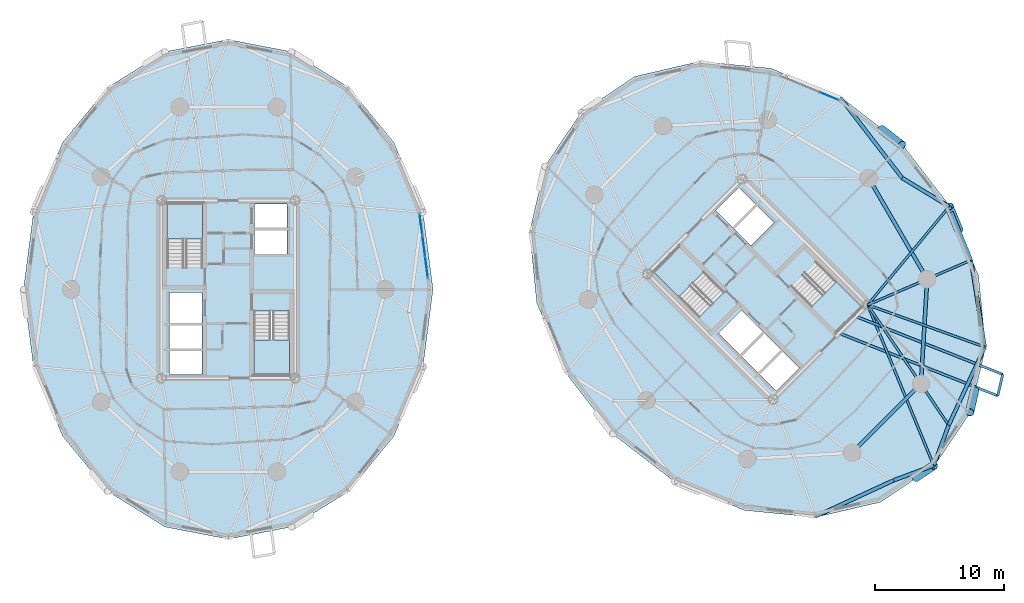
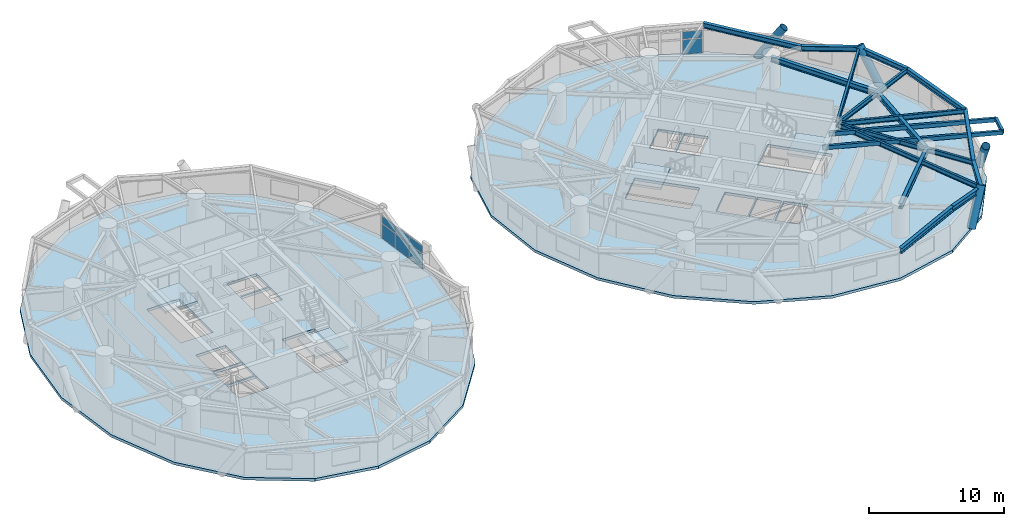
# One storey, part 8 of 17: 19 beams, 8 plates, 6 slabs, 4 members, 6 elements without a shape of their own.
"""IFC4 building model written with IfcOpenShell, lengths in metres."""

from ifc_helpers import new_model, si_unit, direction, frame, origin, origin_2d, place, context, subcontext, project, spatial, polyline, rectangle, hollow_rectangle, hollow_circle, i_section, outline, extrude, source, transform, mapped, material, layer, layer_set, material_profile, profile_set, type_object, element, aggregate, save


model = new_model("IFC4")

# Units and contexts
model_context = context("Model", 3, precision=1e-05, world=origin(), true_north=direction((0.0, 1.0)))
body_context = subcontext(model_context, "Body", "Model", "MODEL_VIEW")
ifc_project = project(units=[si_unit("LENGTHUNIT", "METRE"), si_unit("AREAUNIT", "SQUARE_METRE"), si_unit("VOLUMEUNIT", "CUBIC_METRE"), si_unit("PLANEANGLEUNIT", "RADIAN"), si_unit("MASSUNIT", "GRAM", prefix="KILO")], contexts=[model_context])

# Site, building, storey
site_placement = place(None, origin())
site = spatial("IfcSite", under=ifc_project, at=site_placement, CompositionType="ELEMENT")
building_placement = place(site_placement, origin())
building = spatial("IfcBuilding", under=site, at=building_placement, Name="Cununo Teusaquillo Station Towers", CompositionType="ELEMENT")
storey_placement = place(building_placement, frame((0.0, 0.0, 90.52001953125)))
storey = spatial("IfcBuildingStorey", under=building, at=storey_placement, Name="L28", CompositionType="ELEMENT", Elevation=90.52001953125)

# Beams
ifc_material_1 = material(Name="Steel EN 10025-2 S355J2", Category="steel")
ifc_material_profile_1 = material_profile(ifc_material_1, hollow_rectangle(XDim=0.199951171875, YDim=0.35009765625, WallThickness=0.013916015625, at=origin_2d()), Name="RHS 350x200x14")
ifc_profile_set_1 = profile_set([ifc_material_profile_1], Name="Steel EN 10025-2 S355J2")
beam_type_1 = type_object("IfcBeamType", Name="BM-BAL-CANT", PredefinedType="BEAM", material=ifc_profile_set_1)
beam_1_placement = place(storey_placement, frame((63.593505859375, 21.188720703125, 2.494873046875), z_axis=(0.930217566196, -0.367008555132, 0.0), x_axis=(0.367008555132, 0.930217566196, 0.0)))
element("IfcBeam", 1, at=beam_1_placement, inside=storey, type_object=beam_type_1, Name="L28 Tower B Balcony Cantilever Bracket 2A", PredefinedType="BEAM", context=body_context, shape_type="SweptSolid", body=[
    extrude(hollow_rectangle(XDim=0.199951171875, YDim=0.35009765625, WallThickness=0.013916015625, at=origin_2d()), origin(), (0.0, 0.0, 1.0), 13.44140625),
])
beam_2_placement = place(storey_placement, frame((64.894287109375, 22.48974609375, 2.494873046875), z_axis=(0.930220364523, -0.367001462432, 0.0), x_axis=(0.367001462432, 0.930220364523, 0.0)))
element("IfcBeam", 2, at=beam_2_placement, inside=storey, type_object=beam_type_1, Name="L28 Tower B Balcony Cantilever Bracket 2B", PredefinedType="BEAM", context=body_context, shape_type="SweptSolid", body=[
    extrude(hollow_rectangle(XDim=0.199951171875, YDim=0.35009765625, WallThickness=0.013916015625, at=origin_2d()), origin(), (0.0, 0.0, 1.0), 12.459716796875),
])
ifc_material_2 = material(Name="Steel ASTM A572 Grade 50", Category="steel")
ifc_material_profile_2 = material_profile(ifc_material_2, i_section(OverallWidth=0.180908203125, OverallDepth=0.4169921875, WebThickness=0.010986328125, FlangeThickness=0.018310546875, FilletRadius=0.012939453125, at=origin_2d()), Name="W16X57")
ifc_profile_set_2 = profile_set([ifc_material_profile_2], Name="Steel ASTM A572 Grade 50")
beam_type_2 = type_object("IfcBeamType", Name="BM-JOIST-1", PredefinedType="JOIST", material=ifc_profile_set_2)
beam_3_placement = place(storey_placement, frame((66.024169921875, 23.29443359375, 2.46142578125), z_axis=(0.380485864505, -0.924786735908, 0.0), x_axis=(0.924786735908, 0.380485864505, 0.0)))
element("IfcBeam", 3, at=beam_3_placement, inside=storey, type_object=beam_type_2, Name="L28 Tower B Radial Spandrel Joist V15", PredefinedType="JOIST", context=body_context, shape_type="SweptSolid", body=[
    extrude(i_section(OverallWidth=0.180908203125, OverallDepth=0.4169921875, WebThickness=0.010986328125, FlangeThickness=0.018310546875, FilletRadius=0.012939453125, at=origin_2d()), origin(), (0.0, 0.0, 1.0), 13.44580078125),
])
beam_4_placement = place(storey_placement, frame((66.024169921875, 23.29443359375, 2.46142578125), z_axis=(0.941082771055, -0.338176312038, 0.0), x_axis=(0.338176312038, 0.941082771055, 0.0)))
element("IfcBeam", 4, at=beam_4_placement, inside=storey, type_object=beam_type_2, Name="L28 Tower B Radial Spandrel Joist V17", PredefinedType="JOIST", context=body_context, shape_type="SweptSolid", body=[
    extrude(i_section(OverallWidth=0.180908203125, OverallDepth=0.4169921875, WebThickness=0.010986328125, FlangeThickness=0.018310546875, FilletRadius=0.012939453125, at=origin_2d()), origin(), (0.0, 0.0, 1.0), 9.646484375),
])
beam_5_placement = place(storey_placement, frame((66.024169921875, 23.29443359375, 2.46142578125), z_axis=(0.638372238196, 0.769727799615, 0.0), x_axis=(-0.769727799615, 0.638372238196, 0.0)))
element("IfcBeam", 5, at=beam_5_placement, inside=storey, type_object=beam_type_2, Name="L28 Tower B Radial Spandrel Joist V19", PredefinedType="JOIST", context=body_context, shape_type="SweptSolid", body=[
    extrude(i_section(OverallWidth=0.180908203125, OverallDepth=0.4169921875, WebThickness=0.010986328125, FlangeThickness=0.018310546875, FilletRadius=0.012939453125, at=origin_2d()), origin(), (0.0, 0.0, 1.0), 9.895263671875),
])
ifc_material_3 = material(Name="Steel ASTM A572 Grade 50", Category="steel")
ifc_material_profile_3 = material_profile(ifc_material_3, i_section(OverallWidth=0.180908203125, OverallDepth=0.4169921875, WebThickness=0.010986328125, FlangeThickness=0.018310546875, FilletRadius=0.012939453125, at=origin_2d()), Name="W16X57")
ifc_profile_set_3 = profile_set([ifc_material_profile_3], Name="Steel ASTM A572 Grade 50")
beam_type_3 = type_object("IfcBeamType", Name="BM-RAD-G2", PredefinedType="BEAM", material=ifc_profile_set_3)
beam_6_placement = place(storey_placement, frame((66.024169921875, 23.29443359375, 2.46142578125), z_axis=(0.558572297481, -0.82945583878, 0.0), x_axis=(0.82945583878, 0.558572297481, 0.0)))
element("IfcBeam", 6, at=beam_6_placement, inside=storey, type_object=beam_type_3, Name="L28 Tower B Continuous Overhanging Radial Girder 09", PredefinedType="BEAM", context=body_context, shape_type="SweptSolid", body=[
    extrude(i_section(OverallWidth=0.180908203125, OverallDepth=0.4169921875, WebThickness=0.010986328125, FlangeThickness=0.018310546875, FilletRadius=0.012939453125, at=origin_2d()), origin(), (0.0, 0.0, 1.0), 11.22998046875),
])
beam_7_placement = place(storey_placement, frame((66.024169921875, 23.29443359375, 2.46142578125), z_axis=(0.917654733344, 0.397378648609, 0.0), x_axis=(-0.397378648609, 0.917654733344, 0.0)))
element("IfcBeam", 7, at=beam_7_placement, inside=storey, type_object=beam_type_3, Name="L28 Tower B Continuous Overhanging Radial Girder 10", PredefinedType="BEAM", context=body_context, shape_type="SweptSolid", body=[
    extrude(i_section(OverallWidth=0.180908203125, OverallDepth=0.4169921875, WebThickness=0.010986328125, FlangeThickness=0.018310546875, FilletRadius=0.012939453125, at=origin_2d()), origin(), (0.0, 0.0, 1.0), 8.71484375),
])
ifc_material_4 = material(Name="Steel ASTM A572 Grade 50", Category="steel")
ifc_material_profile_4 = material_profile(ifc_material_4, i_section(OverallWidth=0.280029296875, OverallDepth=0.462890625, WebThickness=0.0107421875, FlangeThickness=0.017333984375, FilletRadius=0.013916015625, at=origin_2d()), Name="W18X76")
ifc_profile_set_4 = profile_set([ifc_material_profile_4], Name="Steel ASTM A572 Grade 50")
beam_type_4 = type_object("IfcBeamType", Name="BM-RING-Z2", PredefinedType="SPANDREL", material=ifc_profile_set_4)
beam_8_placement = place(storey_placement, frame((64.826904296875, 11.853759765625, 2.4384765625), z_axis=(0.707106781187, 0.707106781187, 0.0), x_axis=(-0.707106781187, 0.707106781187, 0.0)))
element("IfcBeam", 8, at=beam_8_placement, inside=storey, type_object=beam_type_4, Name="L28 Tower B Structural Column Ring Girder 08", PredefinedType="SPANDREL", context=body_context, shape_type="SweptSolid", body=[
    extrude(i_section(OverallWidth=0.280029296875, OverallDepth=0.462890625, WebThickness=0.0107421875, FlangeThickness=0.017333984375, FilletRadius=0.013916015625, at=origin_2d()), origin(), (0.0, 0.0, 1.0), 7.522705078125),
])
beam_9_placement = place(storey_placement, frame((70.146240234375, 17.173095703125, 2.4384765625), z_axis=(0.06012979176, 0.998190567048, 0.0), x_axis=(-0.998190567048, 0.06012979176, 0.0)))
element("IfcBeam", 9, at=beam_9_placement, inside=storey, type_object=beam_type_4, Name="L28 Tower B Structural Column Ring Girder 09", PredefinedType="SPANDREL", context=body_context, shape_type="SweptSolid", body=[
    extrude(i_section(OverallWidth=0.280029296875, OverallDepth=0.462890625, WebThickness=0.0107421875, FlangeThickness=0.017333984375, FilletRadius=0.013916015625, at=origin_2d()), origin(), (0.0, 0.0, 1.0), 8.132568359375),
])
beam_10_placement = place(storey_placement, frame((70.63525390625, 25.291015625, 2.4384765625), z_axis=(-0.501311121078, 0.865267103202, 0.0), x_axis=(-0.865267103202, -0.501311121078, 0.0)))
element("IfcBeam", 10, at=beam_10_placement, inside=storey, type_object=beam_type_4, Name="L28 Tower B Structural Column Ring Girder 10", PredefinedType="SPANDREL", context=body_context, shape_type="SweptSolid", body=[
    extrude(i_section(OverallWidth=0.280029296875, OverallDepth=0.462890625, WebThickness=0.0107421875, FlangeThickness=0.017333984375, FilletRadius=0.013916015625, at=origin_2d()), origin(), (0.0, 0.0, 1.0), 9.032958984375),
])
beam_11_placement = place(storey_placement, frame((68.694580078125, 33.12890625, 2.4384765625), z_axis=(-0.610100441726, 0.792324082056, 0.0), x_axis=(-0.792324082056, -0.610100441726, 0.0)))
element("IfcBeam", 11, at=beam_11_placement, inside=storey, type_object=beam_type_4, Name="L28 Tower B Spandrel Ring Beam 01", PredefinedType="SPANDREL", context=body_context, shape_type="SweptSolid", body=[
    extrude(i_section(OverallWidth=0.280029296875, OverallDepth=0.462890625, WebThickness=0.0107421875, FlangeThickness=0.017333984375, FilletRadius=0.013916015625, at=origin_2d()), origin(), (0.0, 0.0, 1.0), 7.84033203125),
])
beam_12_placement = place(storey_placement, frame((61.9677734375, 6.897705078125, 2.4384765625), z_axis=(0.907275870354, 0.420535961689, 0.0), x_axis=(-0.420535961689, 0.907275870354, 0.0)))
element("IfcBeam", 12, at=beam_12_placement, inside=storey, type_object=beam_type_4, Name="L28 Tower B Spandrel Ring Beam 14", PredefinedType="SPANDREL", context=body_context, shape_type="SweptSolid", body=[
    extrude(i_section(OverallWidth=0.280029296875, OverallDepth=0.462890625, WebThickness=0.0107421875, FlangeThickness=0.017333984375, FilletRadius=0.013916015625, at=origin_2d()), origin(), (0.0, 0.0, 1.0), 6.671142578125),
])
for number, where, z_axis, x_axis, name in (
    (13, (68.020263671875, 9.703125, 2.4384765625), (0.937628334414, 0.347639333943, 0.0), (-0.347639333943, 0.937628334414, 0.0), "L28 Tower B Spandrel Ring Beam 15"),
    (14, (71.14013671875, 10.85986328125, 2.4384765625), (0.347639333943, 0.937628334414, 0.0), (-0.937628334414, 0.347639333943, 0.0), "L28 Tower B Spandrel Ring Beam 16"),
):
    element("IfcBeam", number, at=place(storey_placement, frame(where, z_axis=z_axis, x_axis=x_axis)), inside=storey, type_object=beam_type_4, Name=name, PredefinedType="SPANDREL", context=body_context, shape_type="SweptSolid", body=[
        extrude(i_section(OverallWidth=0.280029296875, OverallDepth=0.462890625, WebThickness=0.0107421875, FlangeThickness=0.017333984375, FilletRadius=0.013916015625, at=origin_2d()), origin(), (0.0, 0.0, 1.0), 3.327392578125),
    ])
beam_13_placement = place(storey_placement, frame((72.296875, 13.979736328125, 2.4384765625), z_axis=(0.420535961689, 0.907275870354, 0.0), x_axis=(-0.907275870354, 0.420535961689, 0.0)))
element("IfcBeam", 15, at=beam_13_placement, inside=storey, type_object=beam_type_4, Name="L28 Tower B Spandrel Ring Beam 17", PredefinedType="SPANDREL", context=body_context, shape_type="SweptSolid", body=[
    extrude(i_section(OverallWidth=0.280029296875, OverallDepth=0.462890625, WebThickness=0.0107421875, FlangeThickness=0.017333984375, FilletRadius=0.013916015625, at=origin_2d()), origin(), (0.0, 0.0, 1.0), 6.671142578125),
])
beam_14_placement = place(storey_placement, frame((75.102294921875, 20.0322265625, 2.4384765625), z_axis=(-0.158671232312, 0.987331474246, 0.0), x_axis=(-0.987331474246, -0.158671232312, 0.0)))
element("IfcBeam", 16, at=beam_14_placement, inside=storey, type_object=beam_type_4, Name="L28 Tower B Spandrel Ring Beam 18", PredefinedType="SPANDREL", context=body_context, shape_type="SweptSolid", body=[
    extrude(i_section(OverallWidth=0.280029296875, OverallDepth=0.462890625, WebThickness=0.0107421875, FlangeThickness=0.017333984375, FilletRadius=0.013916015625, at=origin_2d()), origin(), (0.0, 0.0, 1.0), 6.8115234375),
])
beam_15_placement = place(storey_placement, frame((74.021484375, 26.757568359375, 2.4384765625), z_axis=(-0.375042266631, 0.927007712072, 0.0), x_axis=(-0.927007712072, -0.375042266631, 0.0)))
element("IfcBeam", 17, at=beam_15_placement, inside=storey, type_object=beam_type_4, Name="L28 Tower B Spandrel Ring Beam 19", PredefinedType="SPANDREL", context=body_context, shape_type="SweptSolid", body=[
    extrude(i_section(OverallWidth=0.280029296875, OverallDepth=0.462890625, WebThickness=0.0107421875, FlangeThickness=0.017333984375, FilletRadius=0.013916015625, at=origin_2d()), origin(), (0.0, 0.0, 1.0), 4.480712890625),
])
beam_16_placement = place(storey_placement, frame((72.341064453125, 30.9111328125, 2.4384765625), z_axis=(-0.854388492444, 0.519634779416, 0.0), x_axis=(-0.519634779416, -0.854388492444, 0.0)))
element("IfcBeam", 18, at=beam_16_placement, inside=storey, type_object=beam_type_4, Name="L28 Tower B Spandrel Ring Beam 20", PredefinedType="SPANDREL", context=body_context, shape_type="SweptSolid", body=[
    extrude(i_section(OverallWidth=0.280029296875, OverallDepth=0.462890625, WebThickness=0.0107421875, FlangeThickness=0.017333984375, FilletRadius=0.013916015625, at=origin_2d()), origin(), (0.0, 0.0, 1.0), 4.26806640625),
])
ifc_material_5 = material(Name="Steel EN 10025-2 S355J2", Category="steel")
ifc_material_profile_5 = material_profile(ifc_material_5, hollow_rectangle(XDim=0.199951171875, YDim=0.35009765625, WallThickness=0.013916015625, at=origin_2d()), Name="RHS 350x200x14")
ifc_profile_set_5 = profile_set([ifc_material_profile_5], Name="Steel EN 10025-2 S355J2")
beam_type_5 = type_object("IfcBeamType", Name="BM-STAIR-TRIM", PredefinedType="BEAM", material=ifc_profile_set_5)
beam_17_placement = place(storey_placement, frame((76.096923828125, 16.255615234375, 2.52490234375), z_axis=(0.22725223503, 0.973835931599, 0.0), x_axis=(-0.973835931599, 0.22725223503, 0.0)))
element("IfcBeam", 19, at=beam_17_placement, inside=storey, type_object=beam_type_5, Name="L28 Tower B Balcony Edge Trimmer Beam 2", PredefinedType="BEAM", context=body_context, shape_type="SweptSolid", body=[
    extrude(hollow_rectangle(XDim=0.199951171875, YDim=0.35009765625, WallThickness=0.013916015625, at=origin_2d()), origin(), (0.0, 0.0, 1.0), 1.7060546875),
])

# Members
ifc_material_6 = material(Name="Steel EN 10025-2 S355J2", Category="steel")
ifc_material_profile_6 = material_profile(ifc_material_6, hollow_circle(Radius=0.330078125, WallThickness=0.02490234375, at=origin_2d()), Name="CHS 660x25")
ifc_profile_set_6 = profile_set([ifc_material_profile_6], Name="Steel EN 10025-2 S355J2")
member_type = type_object("IfcMemberType", Name="MBR-DIAG-Z2", PredefinedType="BRACE", material=ifc_profile_set_6)
member_1_placement = place(storey_placement, frame((67.085693359375, 36.895751953125, -0.14013671875), z_axis=(0.449277419576, -0.346044496653, 0.823652236442), x_axis=(0.610205273886, 0.792243348803, 0.0)))
element("IfcMember", 20, at=member_1_placement, inside=storey, type_object=member_type, Name="L28 Tower B Folded-Zigzag Diagrid Tube C00", PredefinedType="BRACE", context=body_context, shape_type="SweptSolid", body=[
    extrude(hollow_circle(Radius=0.330078125, WallThickness=0.02490234375, at=origin_2d()), origin(), (0.0, 0.0, 1.0), 3.533203125),
])
member_2_placement = place(storey_placement, frame((69.7666015625, 9.931396484375, -0.14013671875), z_axis=(0.410098958558, 0.277214066725, 0.868890790261), x_axis=(-0.560024081213, 0.828476329452, 0.0)))
element("IfcMember", 21, at=member_2_placement, inside=storey, type_object=member_type, Name="L28 Tower B Folded-Zigzag Diagrid Tube C14", PredefinedType="BRACE", context=body_context, shape_type="SweptSolid", body=[
    extrude(hollow_circle(Radius=0.330078125, WallThickness=0.02490234375, at=origin_2d()), origin(), (0.0, 0.0, 1.0), 3.349365234375),
])
member_3_placement = place(storey_placement, frame((74.317626953125, 16.664306640625, -0.14013671875), z_axis=(-0.115899426578, -0.497494862811, 0.859689586069), x_axis=(0.973920299704, -0.226890391653, 0.0)))
element("IfcMember", 22, at=member_3_placement, inside=storey, type_object=member_type, Name="L28 Tower B Folded-Zigzag Diagrid Tube C16", PredefinedType="BRACE", context=body_context, shape_type="SweptSolid", body=[
    extrude(hollow_circle(Radius=0.330078125, WallThickness=0.02490234375, at=origin_2d()), origin(), (0.0, 0.0, 1.0), 3.385009765625),
])
member_4_placement = place(storey_placement, frame((73.07958984375, 29.114501953125, -0.14013671875), z_axis=(-0.211073502337, 0.513484265686, 0.831734263755), x_axis=(-0.924906987989, -0.380193455452, 0.0)))
element("IfcMember", 23, at=member_4_placement, inside=storey, type_object=member_type, Name="L28 Tower B Folded-Zigzag Diagrid Tube C18", PredefinedType="BRACE", context=body_context, shape_type="SweptSolid", body=[
    extrude(hollow_circle(Radius=0.330078125, WallThickness=0.02490234375, at=origin_2d()), origin(), (0.0, 0.0, 1.0), 3.4990234375),
])

# Stair, slab
ifc_material_7 = material(Name="Concrete C50/60", Category="concrete")
stair_type = type_object("IfcStairType", Name="ST-TWR-1300", PredefinedType="HALF_TURN_STAIR", material=ifc_material_7)
stair_1_placement = place(storey_placement, origin())
stair_1 = element("IfcStair", 24, at=stair_1_placement, inside=storey, type_object=stair_type, Name="L28 Tower A Protected Core Exit Stair 1", PredefinedType="HALF_TURN_STAIR")
ifc_material_8 = material(Name="Concrete C50/60", Category="concrete")
ifc_layer_1 = layer(ifc_material_8, 0.199951171875)
ifc_layer_set_1 = layer_set([ifc_layer_1], Name="Concrete C50/60")
slab_type_1 = type_object("IfcSlabType", Name="SLB-STAIR-LND", PredefinedType="LANDING", material=ifc_layer_set_1)
slab_1_placement = place(storey_placement, frame((0.0, 0.0, 1.2548828125)))
slab_1 = element("IfcSlab", 25, at=slab_1_placement, type_object=slab_type_1, Name="ST-T1-1 landing 1", PredefinedType="LANDING", context=body_context, shape_type="SweptSolid", body=[
    extrude(outline(polyline([(14.52001953125, 28.409912109375), (14.52001953125, 31.159912109375), (11.760009765625, 31.159912109375), (11.760009765625, 28.409912109375), (14.52001953125, 28.409912109375)])), origin(), (0.0, 0.0, 1.0), 0.2001953125),
])
aggregate(stair_1, [slab_1])

stair_2_placement = place(storey_placement, origin())
stair_2 = element("IfcStair", 26, at=stair_2_placement, inside=storey, type_object=stair_type, Name="L28 Tower A Protected Core Exit Stair 2", PredefinedType="HALF_TURN_STAIR")
slab_2_placement = place(storey_placement, frame((0.0, 0.0, 1.2548828125)))
slab_2 = element("IfcSlab", 27, at=slab_2_placement, type_object=slab_type_1, Name="ST-T1-2 landing 1", PredefinedType="LANDING", context=body_context, shape_type="SweptSolid", body=[
    extrude(outline(polyline([(18.47998046875, 20.590087890625), (18.47998046875, 17.840087890625), (21.239990234375, 17.840087890625), (21.239990234375, 20.590087890625), (18.47998046875, 20.590087890625)])), origin(), (0.0, 0.0, 1.0), 0.2001953125),
])
aggregate(stair_2, [slab_2])

stair_3_placement = place(storey_placement, origin())
stair_3 = element("IfcStair", 28, at=stair_3_placement, inside=storey, type_object=stair_type, Name="L28 Tower B Protected Core Exit Stair 1", PredefinedType="HALF_TURN_STAIR")
slab_3_placement = place(storey_placement, frame((0.0, 0.0, 1.2548828125)))
slab_3 = element("IfcSlab", 29, at=slab_3_placement, type_object=slab_type_1, Name="ST-T2-1 landing 1", PredefinedType="LANDING", context=body_context, shape_type="SweptSolid", body=[
    extrude(outline(polyline([(53.335205078125, 25.86474609375), (51.390625, 27.809326171875), (49.43896484375, 25.857666015625), (51.383544921875, 23.9130859375), (53.335205078125, 25.86474609375)])), origin(), (0.0, 0.0, 1.0), 0.2001953125),
])
aggregate(stair_3, [slab_3])

stair_4_placement = place(storey_placement, origin())
stair_4 = element("IfcStair", 30, at=stair_4_placement, inside=storey, type_object=stair_type, Name="L28 Tower B Protected Core Exit Stair 2", PredefinedType="HALF_TURN_STAIR")
slab_4_placement = place(storey_placement, frame((0.0, 0.0, 1.2548828125)))
slab_4 = element("IfcSlab", 31, at=slab_4_placement, type_object=slab_type_1, Name="ST-T2-2 landing 1", PredefinedType="LANDING", context=body_context, shape_type="SweptSolid", body=[
    extrude(outline(polyline([(61.664794921875, 23.13525390625), (63.609375, 21.190673828125), (65.56103515625, 23.142333984375), (63.616455078125, 25.0869140625), (61.664794921875, 23.13525390625)])), origin(), (0.0, 0.0, 1.0), 0.2001953125),
])
aggregate(stair_4, [slab_4])

# Slabs
ifc_material_9 = material(Name="Concrete C40/50", Category="concrete")
ifc_layer_2 = layer(ifc_material_9, 0.239990234375)
ifc_layer_set_2 = layer_set([ifc_layer_2], Name="Concrete C40/50")
slab_type_2 = type_object("IfcSlabType", Name="SLB-Z2-240", PredefinedType="FLOOR", material=ifc_layer_set_2)
slab_5_placement = place(storey_placement, frame((0.0, 0.0, -0.239990234375)))
element("IfcSlab", 32, at=slab_5_placement, inside=storey, type_object=slab_type_2, Name="L28 Tower A Floor Slab", PredefinedType="FLOOR", context=body_context, shape_type="SweptSolid", body=[
    extrude(outline(polyline([(32.361083984375, 24.5), (31.584716796875, 30.4794921875), (29.331787109375, 35.87353515625), (25.822998046875, 40.154541015625), (21.4013671875, 42.90283203125), (16.5, 43.85009765625), (11.5986328125, 42.90283203125), (7.177001953125, 40.154541015625), (3.668212890625, 35.87353515625), (1.415283203125, 30.4794921875), (0.638916015625, 24.5), (1.415283203125, 18.5205078125), (3.668212890625, 13.12646484375), (7.177001953125, 8.845458984375), (11.5986328125, 6.09716796875), (16.5, 5.14990234375), (21.4013671875, 6.09716796875), (25.822998046875, 8.845458984375), (29.331787109375, 13.12646484375), (31.584716796875, 18.5205078125), (32.361083984375, 24.5)]), holes=[polyline([(14.52001953125, 26.176025390625), (14.52001953125, 31.159912109375), (11.760009765625, 31.159912109375), (11.760009765625, 26.176025390625), (14.52001953125, 26.176025390625)]), polyline([(18.47998046875, 22.823974609375), (18.47998046875, 17.840087890625), (21.239990234375, 17.840087890625), (21.239990234375, 22.823974609375), (18.47998046875, 22.823974609375)]), polyline([(11.949951171875, 21.85009765625), (14.47998046875, 21.85009765625), (14.47998046875, 24.25), (11.949951171875, 24.25), (11.949951171875, 21.85009765625)]), polyline([(11.949951171875, 17.89990234375), (14.47998046875, 17.89990234375), (14.47998046875, 19.75), (11.949951171875, 19.75), (11.949951171875, 17.89990234375)]), polyline([(11.949951171875, 19.89990234375), (14.47998046875, 19.89990234375), (14.47998046875, 21.75), (11.949951171875, 21.75), (11.949951171875, 19.89990234375)]), polyline([(18.52001953125, 27.25), (21.050048828125, 27.25), (21.050048828125, 29.10009765625), (18.52001953125, 29.10009765625), (18.52001953125, 27.25)]), polyline([(18.52001953125, 29.25), (21.050048828125, 29.25), (21.050048828125, 31.10009765625), (18.52001953125, 31.10009765625), (18.52001953125, 29.25)])]), origin(), (0.0, 0.0, 1.0), 0.239990234375),
])
slab_6_placement = place(storey_placement, frame((0.0, 0.0, -0.239990234375)))
element("IfcSlab", 33, at=slab_6_placement, inside=storey, type_object=slab_type_2, Name="L28 Tower B Floor Slab", PredefinedType="FLOOR", context=body_context, shape_type="SweptSolid", body=[
    extrude(outline(polyline([(68.71533203125, 35.71533203125), (63.938232421875, 39.39453125), (58.531005859375, 41.61572265625), (53.02294921875, 42.16162109375), (47.952880859375, 40.978515625), (43.8173828125, 38.1826171875), (41.021484375, 34.047119140625), (39.83837890625, 28.97705078125), (40.38427734375, 23.468994140625), (42.60546875, 18.061767578125), (46.28466796875, 13.28466796875), (51.061767578125, 9.60546875), (56.468994140625, 7.38427734375), (61.97705078125, 6.83837890625), (67.047119140625, 8.021484375), (71.1826171875, 10.8173828125), (73.978515625, 14.952880859375), (75.16162109375, 20.02294921875), (74.61572265625, 25.531005859375), (72.39453125, 30.938232421875), (68.71533203125, 35.71533203125)]), holes=[polyline([(54.914794921875, 24.28515625), (51.390625, 27.809326171875), (49.43896484375, 25.857666015625), (52.963134765625, 22.33349609375), (54.914794921875, 24.28515625)]), polyline([(60.085205078125, 24.71484375), (63.609375, 21.190673828125), (65.56103515625, 23.142333984375), (62.036865234375, 26.66650390625), (60.085205078125, 24.71484375)]), polyline([(56.156494140625, 19.40869140625), (57.945556640625, 21.19775390625), (56.248291015625, 22.89501953125), (54.45947265625, 21.10595703125), (56.156494140625, 19.40869140625)]), polyline([(58.94970703125, 16.61572265625), (60.738525390625, 18.40478515625), (59.430419921875, 19.712890625), (57.641357421875, 17.923828125), (58.94970703125, 16.61572265625)]), polyline([(57.535400390625, 18.030029296875), (59.32421875, 19.819091796875), (58.01611328125, 21.127197265625), (56.227294921875, 19.338134765625), (57.535400390625, 18.030029296875)]), polyline([(56.98388671875, 27.872802734375), (58.772705078125, 29.661865234375), (57.464599609375, 30.969970703125), (55.67578125, 29.180908203125), (56.98388671875, 27.872802734375)]), polyline([(55.569580078125, 29.287109375), (57.358642578125, 31.076171875), (56.05029296875, 32.38427734375), (54.261474609375, 30.59521484375), (55.569580078125, 29.287109375)])]), origin(), (0.0, 0.0, 1.0), 0.239990234375),
])

# Curtain wall, plates
ifc_material_10 = material(Name="Ceramic-fritted dark low-E double glazing", Category="glass")
ifc_layer_3 = layer(ifc_material_10, 0.179931640625)
ifc_layer_set_3 = layer_set([ifc_layer_3], Name="Ceramic-fritted dark low-E double glazing")
curtain_wall_type = type_object("IfcCurtainWallType", Name="CW-SYS-04", PredefinedType="USERDEFINED", material=ifc_layer_set_3)
curtain_wall_1_placement = place(storey_placement, origin())
curtain_wall_1 = element("IfcCurtainWall", 34, at=curtain_wall_1_placement, inside=storey, type_object=curtain_wall_type, Name="L28 Tower A Facade Curtain Wall C00", ObjectType="FRITTED GLAZING", PredefinedType="USERDEFINED")
ifc_material_11 = material(Name="Ceramic-fritted dark low-E double glazing", Category="glass")
ifc_layer_4 = layer(ifc_material_11, 0.028076171875)
ifc_layer_set_4 = layer_set([ifc_layer_4], Name="Ceramic-fritted dark low-E double glazing")
plate_type = type_object("IfcPlateType", Name="CWP-FRIT-28", PredefinedType="CURTAIN_PANEL", material=ifc_layer_set_4)
shared_shape_1 = source(origin(), body_context, "Body", "SweptSolid", [
    extrude(rectangle(XDim=1.59228515625, YDim=0.028076171875, at=origin_2d()), origin(), (0.0, 0.0, 1.0), 1.31103515625),
])
plate_1_placement = place(storey_placement, frame((31.429443359375, 29.533935546875, 0.070068359375), z_axis=(0.0, 0.0, 1.0), x_axis=(0.128335852387, -0.991730764367, 0.0)))
plate_1 = element("IfcPlate", 35, at=plate_1_placement, type_object=plate_type, Name="CW-04 panel 1.1", PredefinedType="CURTAIN_PANEL", context=body_context, shape_type="MappedRepresentation", body=[
    mapped(shared_shape_1, transform((0.0, 0.0, 0.0), x_axis=(1.0, 0.0, 0.0), y_axis=(0.0, 1.0, 0.0), z_axis=(0.0, 0.0, 1.0), scale=1.0)),
])
plate_2_placement = place(storey_placement, frame((31.86083984375, 26.201904296875, 0.070068359375), z_axis=(0.0, 0.0, 1.0), x_axis=(0.128335852387, -0.991730764367, 0.0)))
plate_2 = element("IfcPlate", 36, at=plate_2_placement, type_object=plate_type, Name="CW-04 panel 3.1", PredefinedType="CURTAIN_PANEL", context=body_context, shape_type="MappedRepresentation", body=[
    mapped(shared_shape_1, transform((0.0, 0.0, 0.0), x_axis=(1.0, 0.0, 0.0), y_axis=(0.0, 1.0, 0.0), z_axis=(0.0, 0.0, 1.0), scale=1.0)),
])
shared_shape_2 = source(origin(), body_context, "Body", "SweptSolid", [
    extrude(rectangle(XDim=1.59228515625, YDim=0.028076171875, at=origin_2d()), origin(), (0.0, 0.0, 1.0), 0.657958984375),
])
plate_3_placement = place(storey_placement, frame((31.429443359375, 29.533935546875, 1.451171875), z_axis=(0.0, 0.0, 1.0), x_axis=(0.128335852387, -0.991730764367, 0.0)))
plate_3 = element("IfcPlate", 37, at=plate_3_placement, type_object=plate_type, Name="CW-04 panel 1.2", PredefinedType="CURTAIN_PANEL", context=body_context, shape_type="MappedRepresentation", body=[
    mapped(shared_shape_2, transform((0.0, 0.0, 0.0), x_axis=(1.0, 0.0, 0.0), y_axis=(0.0, 1.0, 0.0), z_axis=(0.0, 0.0, 1.0), scale=1.0)),
])
plate_4_placement = place(storey_placement, frame((31.86083984375, 26.201904296875, 1.451171875), z_axis=(0.0, 0.0, 1.0), x_axis=(0.128335852387, -0.991730764367, 0.0)))
plate_4 = element("IfcPlate", 38, at=plate_4_placement, type_object=plate_type, Name="CW-04 panel 3.2", PredefinedType="CURTAIN_PANEL", context=body_context, shape_type="MappedRepresentation", body=[
    mapped(shared_shape_2, transform((0.0, 0.0, 0.0), x_axis=(1.0, 0.0, 0.0), y_axis=(0.0, 1.0, 0.0), z_axis=(0.0, 0.0, 1.0), scale=1.0)),
])
shared_shape_3 = source(origin(), body_context, "Body", "SweptSolid", [
    extrude(rectangle(XDim=1.62744140625, YDim=0.028076171875, at=origin_2d()), origin(), (0.0, 0.0, 1.0), 1.31103515625),
])
plate_5_placement = place(storey_placement, frame((31.645263671875, 27.867919921875, 0.070068359375), z_axis=(0.0, 0.0, 1.0), x_axis=(0.128335852387, -0.991730764367, 0.0)))
plate_5 = element("IfcPlate", 39, at=plate_5_placement, type_object=plate_type, Name="CW-04 panel 2.1", PredefinedType="CURTAIN_PANEL", context=body_context, shape_type="MappedRepresentation", body=[
    mapped(shared_shape_3, transform((0.0, 0.0, 0.0), x_axis=(1.0, 0.0, 0.0), y_axis=(0.0, 1.0, 0.0), z_axis=(0.0, 0.0, 1.0), scale=1.0)),
])
shared_shape_4 = source(origin(), body_context, "Body", "SweptSolid", [
    extrude(rectangle(XDim=1.62744140625, YDim=0.028076171875, at=origin_2d()), origin(), (0.0, 0.0, 1.0), 0.657958984375),
])
plate_6_placement = place(storey_placement, frame((31.645263671875, 27.867919921875, 1.451171875), z_axis=(0.0, 0.0, 1.0), x_axis=(0.128335852387, -0.991730764367, 0.0)))
plate_6 = element("IfcPlate", 40, at=plate_6_placement, type_object=plate_type, Name="CW-04 panel 2.2", PredefinedType="CURTAIN_PANEL", context=body_context, shape_type="MappedRepresentation", body=[
    mapped(shared_shape_4, transform((0.0, 0.0, 0.0), x_axis=(1.0, 0.0, 0.0), y_axis=(0.0, 1.0, 0.0), z_axis=(0.0, 0.0, 1.0), scale=1.0)),
])
aggregate(curtain_wall_1, [plate_1, plate_3, plate_5, plate_6, plate_2, plate_4])

curtain_wall_2_placement = place(storey_placement, origin())
curtain_wall_2 = element("IfcCurtainWall", 41, at=curtain_wall_2_placement, inside=storey, type_object=curtain_wall_type, Name="L28 Tower B Facade Curtain Wall C01", ObjectType="FRITTED GLAZING", PredefinedType="USERDEFINED")
shared_shape_5 = source(origin(), body_context, "Body", "SweptSolid", [
    extrude(rectangle(XDim=1.531005859375, YDim=0.028076171875, at=origin_2d()), origin(), (0.0, 0.0, 1.0), 1.31103515625),
])
plate_7_placement = place(storey_placement, frame((63.03857421875, 39.463623046875, 0.070068359375), z_axis=(0.0, 0.0, 1.0), x_axis=(0.924562443652, -0.381030560176, 0.0)))
plate_7 = element("IfcPlate", 42, at=plate_7_placement, type_object=plate_type, Name="CW-04 panel 3.1", PredefinedType="CURTAIN_PANEL", context=body_context, shape_type="MappedRepresentation", body=[
    mapped(shared_shape_5, transform((0.0, 0.0, 0.0), x_axis=(1.0, 0.0, 0.0), y_axis=(0.0, 1.0, 0.0), z_axis=(0.0, 0.0, 1.0), scale=1.0)),
])
shared_shape_6 = source(origin(), body_context, "Body", "SweptSolid", [
    extrude(rectangle(XDim=1.531005859375, YDim=0.028076171875, at=origin_2d()), origin(), (0.0, 0.0, 1.0), 0.657958984375),
])
plate_8_placement = place(storey_placement, frame((63.03857421875, 39.463623046875, 1.451171875), z_axis=(0.0, 0.0, 1.0), x_axis=(0.924562443652, -0.381030560176, 0.0)))
plate_8 = element("IfcPlate", 43, at=plate_8_placement, type_object=plate_type, Name="CW-04 panel 3.2", PredefinedType="CURTAIN_PANEL", context=body_context, shape_type="MappedRepresentation", body=[
    mapped(shared_shape_6, transform((0.0, 0.0, 0.0), x_axis=(1.0, 0.0, 0.0), y_axis=(0.0, 1.0, 0.0), z_axis=(0.0, 0.0, 1.0), scale=1.0)),
])
aggregate(curtain_wall_2, [plate_7, plate_8])

save(model, "model.ifc")
